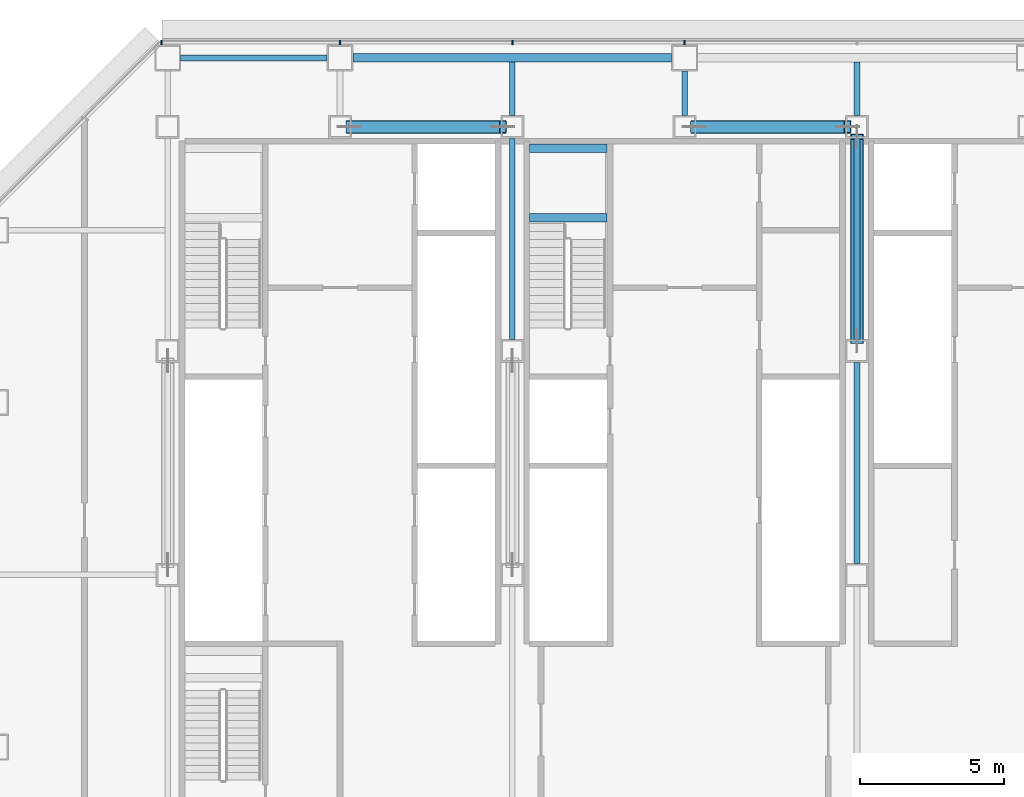
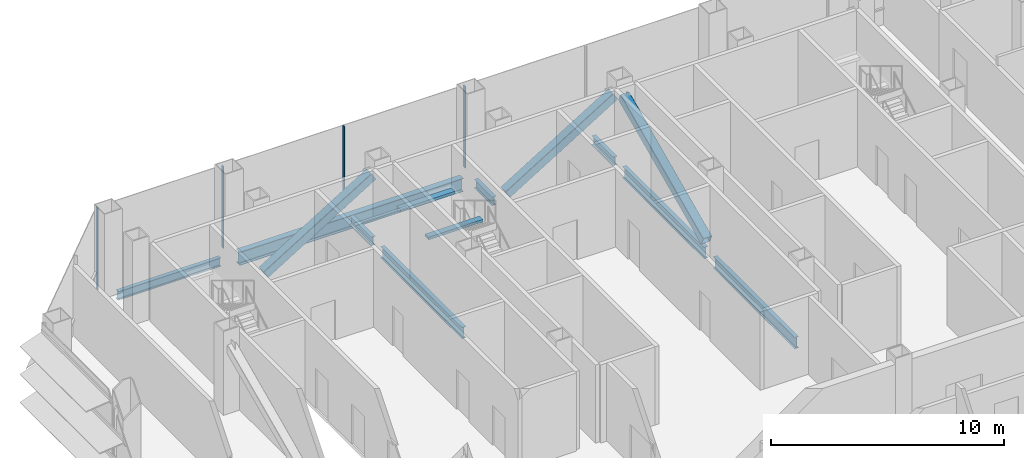
# One storey, part 12 of 27: 10 beams, 7 members, 1 element without a shape of its own.
"""IFC4 building model written with IfcOpenShell, lengths in metres."""

from ifc_helpers import new_model, si_unit, direction, frame, origin, origin_2d, place, context, subcontext, project, spatial, rectangle, hollow_rectangle, i_section, extrude, material, material_profile, profile_set, type_object, element, aggregate, save


model = new_model("IFC4")

# Units and contexts
model_context = context("Model", 3, precision=1e-05, world=origin(), true_north=direction((0.0, 1.0)))
body_context = subcontext(model_context, "Body", "Model", "MODEL_VIEW")
ifc_project = project(units=[si_unit("LENGTHUNIT", "METRE"), si_unit("AREAUNIT", "SQUARE_METRE"), si_unit("VOLUMEUNIT", "CUBIC_METRE"), si_unit("PLANEANGLEUNIT", "RADIAN"), si_unit("MASSUNIT", "GRAM", prefix="KILO")], contexts=[model_context])

# Site, building, storey
site_placement = place(None, origin())
site = spatial("IfcSite", under=ifc_project, at=site_placement, CompositionType="ELEMENT")
building_placement = place(site_placement, origin())
building = spatial("IfcBuilding", under=site, at=building_placement, Name="Sorahane Residences", CompositionType="ELEMENT")
storey_placement = place(building_placement, frame((0.0, 0.0, 85.800048828125)))
storey = spatial("IfcBuildingStorey", under=building, at=storey_placement, Name="L18", CompositionType="ELEMENT", Elevation=85.800048828125)

# Members
ifc_material_1 = material(Name="Steel Q355B", Category="steel")
ifc_material_profile_1 = material_profile(ifc_material_1, hollow_rectangle(XDim=0.449951171875, YDim=0.449951171875, WallThickness=0.02197265625, InnerFilletRadius=0.010986328125, OuterFilletRadius=0.032958984375, at=origin_2d()), Name="RHS 450x450x22")
ifc_profile_set_1 = profile_set([ifc_material_profile_1], Name="Steel Q355B")
member_type_1 = type_object("IfcMemberType", Name="Core brace RHS 450x450x22 Q355B", PredefinedType="BRACE", material=ifc_profile_set_1)
for number, where, z_axis, x_axis, name in (
    (1, (12.329345703125, 45.60009765625, 0.181396484375), (0.851647624098, 0.0, 0.524114800752), (0.0, 1.0, 0.0), "Core brace L18 y45.6-2"),
    (2, (24.329345703125, 45.60009765625, 0.181396484375), (0.851647624098, 0.0, 0.524114800752), (0.0, 1.0, 0.0), "Core brace L18 y45.6-4"),
):
    element("IfcMember", number, at=place(storey_placement, frame(where, z_axis=z_axis, x_axis=x_axis)), inside=storey, type_object=member_type_1, Name=name, PredefinedType="BRACE", context=body_context, shape_type="SweptSolid", body=[
        extrude(hollow_rectangle(XDim=0.449951171875, YDim=0.449951171875, WallThickness=0.02197265625, InnerFilletRadius=0.010986328125, OuterFilletRadius=0.032958984375, at=origin_2d()), origin(), (0.0, 0.0, 1.0), 6.271728515625),
    ])
member_1_placement = place(storey_placement, frame((30.0, 38.143798828125, 0.19921875), z_axis=(0.0, 0.909468404566, 0.415773040368), x_axis=(-1.0, 0.0, 0.0)))
element("IfcMember", 3, at=member_1_placement, inside=storey, type_object=member_type_1, Name="Core brace L18 x30-2", PredefinedType="BRACE", context=body_context, shape_type="SweptSolid", body=[
    extrude(hollow_rectangle(XDim=0.449951171875, YDim=0.449951171875, WallThickness=0.02197265625, InnerFilletRadius=0.010986328125, OuterFilletRadius=0.032958984375, at=origin_2d()), origin(), (0.0, 0.0, 1.0), 7.8203125),
])

# Curtain wall, members
ifc_material_2 = material(Name="Dark low-e glass and black anodised aluminium", Category="aluminium")
curtain_wall_type = type_object("IfcCurtainWallType", Name="Curtain wall CW-1 Typical unitised wall", PredefinedType="NOTDEFINED", material=ifc_material_2)
curtain_wall_placement = place(storey_placement, origin())
curtain_wall = element("IfcCurtainWall", 4, at=curtain_wall_placement, inside=storey, type_object=curtain_wall_type, Name="CW-1 curtain wall L18 N1", PredefinedType="NOTDEFINED")
ifc_material_3 = material(Name="Black anodised aluminium", Category="aluminium")
ifc_material_profile_2 = material_profile(ifc_material_3, rectangle(XDim=0.159912109375, YDim=0.050048828125, at=origin_2d()), Name="Curtain wall mullion CW-1 black anodised aluminium 50x160")
ifc_profile_set_2 = profile_set([ifc_material_profile_2], Name="Black anodised aluminium")
member_type_2 = type_object("IfcMemberType", Name="Curtain wall mullion CW-1 black anodised aluminium 50x160", PredefinedType="MULLION", material=ifc_profile_set_2)
member_2_placement = place(storey_placement, frame((24.0, 48.5400390625, -0.179931640625), z_axis=(0.0, 0.0, 1.0), x_axis=(0.0, 1.0, 0.0)))
member_2 = element("IfcMember", 5, at=member_2_placement, type_object=member_type_2, Name="CW-1 mullion L18 N1.7", PredefinedType="MULLION", context=body_context, shape_type="SweptSolid", body=[
    extrude(rectangle(XDim=0.159912109375, YDim=0.050048828125, at=origin_2d()), origin(), (0.0, 0.0, 1.0), 4.27978515625),
])
member_3_placement = place(storey_placement, frame((18.0, 48.5400390625, -0.179931640625), z_axis=(0.0, 0.0, 1.0), x_axis=(0.0, 1.0, 0.0)))
member_3 = element("IfcMember", 6, at=member_3_placement, type_object=member_type_2, Name="CW-1 mullion L18 N1.8", PredefinedType="MULLION", context=body_context, shape_type="SweptSolid", body=[
    extrude(rectangle(XDim=0.159912109375, YDim=0.050048828125, at=origin_2d()), origin(), (0.0, 0.0, 1.0), 4.27978515625),
])
member_4_placement = place(storey_placement, frame((12.0, 48.5400390625, -0.179931640625), z_axis=(0.0, 0.0, 1.0), x_axis=(0.0, 1.0, 0.0)))
member_4 = element("IfcMember", 7, at=member_4_placement, type_object=member_type_2, Name="CW-1 mullion L18 N1.9", PredefinedType="MULLION", context=body_context, shape_type="SweptSolid", body=[
    extrude(rectangle(XDim=0.159912109375, YDim=0.050048828125, at=origin_2d()), origin(), (0.0, 0.0, 1.0), 4.27978515625),
])
member_5_placement = place(storey_placement, frame((5.7763671875, 48.5400390625, -0.179931640625), z_axis=(0.0, 0.0, 1.0), x_axis=(0.0, 1.0, 0.0)))
member_5 = element("IfcMember", 8, at=member_5_placement, type_object=member_type_2, Name="CW-1 mullion L18 N1.10", PredefinedType="MULLION", context=body_context, shape_type="SweptSolid", body=[
    extrude(rectangle(XDim=0.159912109375, YDim=0.050048828125, at=origin_2d()), origin(), (0.0, 0.0, 1.0), 4.27978515625),
])
aggregate(curtain_wall, [member_2, member_3, member_4, member_5])

# Beams
ifc_material_4 = material(Name="Concrete C40", Category="concrete")
ifc_material_profile_3 = material_profile(ifc_material_4, rectangle(XDim=0.300048828125, YDim=0.139892578125, at=origin_2d()), Name="300x140")
ifc_profile_set_3 = profile_set([ifc_material_profile_3], Name="Concrete C40")
beam_type_1 = type_object("IfcBeamType", Name="RC landing beam 300 x 140 Concrete C40", PredefinedType="BEAM", material=ifc_profile_set_3)
for number, where, z_axis, x_axis, name in (
    (9, (18.60009765625, 42.429931640625, 1.7607421875), (1.0, 0.0, 0.0), (0.0, 1.0, 0.0), "Landing beam"),
    (10, (18.60009765625, 44.85009765625, 1.7607421875), (1.0, 0.0, 0.0), (0.0, 1.0, 0.0), "Landing beam"),
):
    element("IfcBeam", number, at=place(storey_placement, frame(where, z_axis=z_axis, x_axis=x_axis)), inside=storey, type_object=beam_type_1, Name=name, PredefinedType="BEAM", context=body_context, shape_type="SweptSolid", body=[
        extrude(rectangle(XDim=0.300048828125, YDim=0.139892578125, at=origin_2d()), origin(), (0.0, 0.0, 1.0), 2.699951171875),
    ])
ifc_material_5 = material(Name="Steel Q355B", Category="steel")
ifc_material_profile_4 = material_profile(ifc_material_5, i_section(OverallWidth=0.199951171875, OverallDepth=0.449951171875, WebThickness=0.009033203125, FlangeThickness=0.013916015625, FilletRadius=0.02001953125, at=origin_2d()), Name="HN 450x200x9x14")
ifc_profile_set_4 = profile_set([ifc_material_profile_4], Name="Steel Q355B")
beam_type_2 = type_object("IfcBeamType", Name="Steel floor beam HN 450x200x9x14 Q355B", PredefinedType="BEAM", material=ifc_profile_set_4)
beam_1_placement = place(storey_placement, frame((6.449951171875, 48.0, -0.405029296875), z_axis=(1.0, 0.0, 0.0), x_axis=(0.0, 1.0, 0.0)))
element("IfcBeam", 11, at=beam_1_placement, inside=storey, type_object=beam_type_2, Name="Beam L18 012", PredefinedType="BEAM", context=body_context, shape_type="SweptSolid", body=[
    extrude(i_section(OverallWidth=0.199951171875, OverallDepth=0.449951171875, WebThickness=0.009033203125, FlangeThickness=0.013916015625, FilletRadius=0.02001953125, at=origin_2d()), origin(), (0.0, 0.0, 1.0), 5.10009765625),
])
beam_2_placement = place(storey_placement, frame((18.0, 46.0, -0.405029296875), z_axis=(0.0, 1.0, 0.0), x_axis=(-1.0, 0.0, 0.0)))
element("IfcBeam", 12, at=beam_2_placement, inside=storey, type_object=beam_type_2, Name="Beam L18 034", PredefinedType="BEAM", context=body_context, shape_type="SweptSolid", body=[
    extrude(i_section(OverallWidth=0.199951171875, OverallDepth=0.449951171875, WebThickness=0.009033203125, FlangeThickness=0.013916015625, FilletRadius=0.02001953125, at=origin_2d()), origin(), (0.0, 0.0, 1.0), 1.85009765625),
])
beam_3_placement = place(storey_placement, frame((24.0, 46.0, -0.405029296875), z_axis=(0.0, 1.0, 0.0), x_axis=(-1.0, 0.0, 0.0)))
element("IfcBeam", 13, at=beam_3_placement, inside=storey, type_object=beam_type_2, Name="Beam L18 036", PredefinedType="BEAM", context=body_context, shape_type="SweptSolid", body=[
    extrude(i_section(OverallWidth=0.199951171875, OverallDepth=0.449951171875, WebThickness=0.009033203125, FlangeThickness=0.013916015625, FilletRadius=0.02001953125, at=origin_2d()), origin(), (0.0, 0.0, 1.0), 1.550048828125),
])
beam_4_placement = place(storey_placement, frame((30.0, 46.0, -0.405029296875), z_axis=(0.0, 1.0, 0.0), x_axis=(-1.0, 0.0, 0.0)))
element("IfcBeam", 14, at=beam_4_placement, inside=storey, type_object=beam_type_2, Name="Beam L18 042", PredefinedType="BEAM", context=body_context, shape_type="SweptSolid", body=[
    extrude(i_section(OverallWidth=0.199951171875, OverallDepth=0.449951171875, WebThickness=0.009033203125, FlangeThickness=0.013916015625, FilletRadius=0.02001953125, at=origin_2d()), origin(), (0.0, 0.0, 1.0), 1.85009765625),
])
ifc_material_6 = material(Name="Steel Q355B", Category="steel")
ifc_material_profile_5 = material_profile(ifc_material_6, i_section(OverallWidth=0.199951171875, OverallDepth=0.60009765625, WebThickness=0.010986328125, FlangeThickness=0.01708984375, FilletRadius=0.02392578125, at=origin_2d()), Name="HN 600x200x11x17")
ifc_profile_set_5 = profile_set([ifc_material_profile_5], Name="Steel Q355B")
beam_type_3 = type_object("IfcBeamType", Name="Steel floor beam HN 600x200x11x17 Q355B", PredefinedType="BEAM", material=ifc_profile_set_5)
for number, where, z_axis, x_axis, name in (
    (15, (18.0, 38.199951171875, -0.47998046875), (0.0, 1.0, 0.0), (-1.0, 0.0, 0.0), "Beam L18 033"),
    (16, (30.0, 30.39990234375, -0.47998046875), (0.0, 1.0, 0.0), (-1.0, 0.0, 0.0), "Beam L18 040"),
    (17, (30.0, 38.199951171875, -0.47998046875), (0.0, 1.0, 0.0), (-1.0, 0.0, 0.0), "Beam L18 041"),
):
    element("IfcBeam", number, at=place(storey_placement, frame(where, z_axis=z_axis, x_axis=x_axis)), inside=storey, type_object=beam_type_3, Name=name, PredefinedType="BEAM", context=body_context, shape_type="SweptSolid", body=[
        extrude(i_section(OverallWidth=0.199951171875, OverallDepth=0.60009765625, WebThickness=0.010986328125, FlangeThickness=0.01708984375, FilletRadius=0.02392578125, at=origin_2d()), origin(), (0.0, 0.0, 1.0), 7.0),
    ])
ifc_material_7 = material(Name="Steel Q355B", Category="steel")
ifc_material_profile_6 = material_profile(ifc_material_7, i_section(OverallWidth=0.300048828125, OverallDepth=0.699951171875, WebThickness=0.012939453125, FlangeThickness=0.02392578125, FilletRadius=0.028076171875, at=origin_2d()), Name="HN 700x300x13x24")
ifc_profile_set_6 = profile_set([ifc_material_profile_6], Name="Steel Q355B")
beam_type_4 = type_object("IfcBeamType", Name="Steel floor beam HN 700x300x13x24 Q355B", PredefinedType="BEAM", material=ifc_profile_set_6)
beam_5_placement = place(storey_placement, frame((12.449951171875, 48.0, -0.530029296875), z_axis=(1.0, 0.0, 0.0), x_axis=(0.0, 1.0, 0.0)))
element("IfcBeam", 18, at=beam_5_placement, inside=storey, type_object=beam_type_4, Name="Beam L18 013", PredefinedType="BEAM", context=body_context, shape_type="SweptSolid", body=[
    extrude(i_section(OverallWidth=0.300048828125, OverallDepth=0.699951171875, WebThickness=0.012939453125, FlangeThickness=0.02392578125, FilletRadius=0.028076171875, at=origin_2d()), origin(), (0.0, 0.0, 1.0), 11.10009765625),
])

save(model, "model.ifc")
